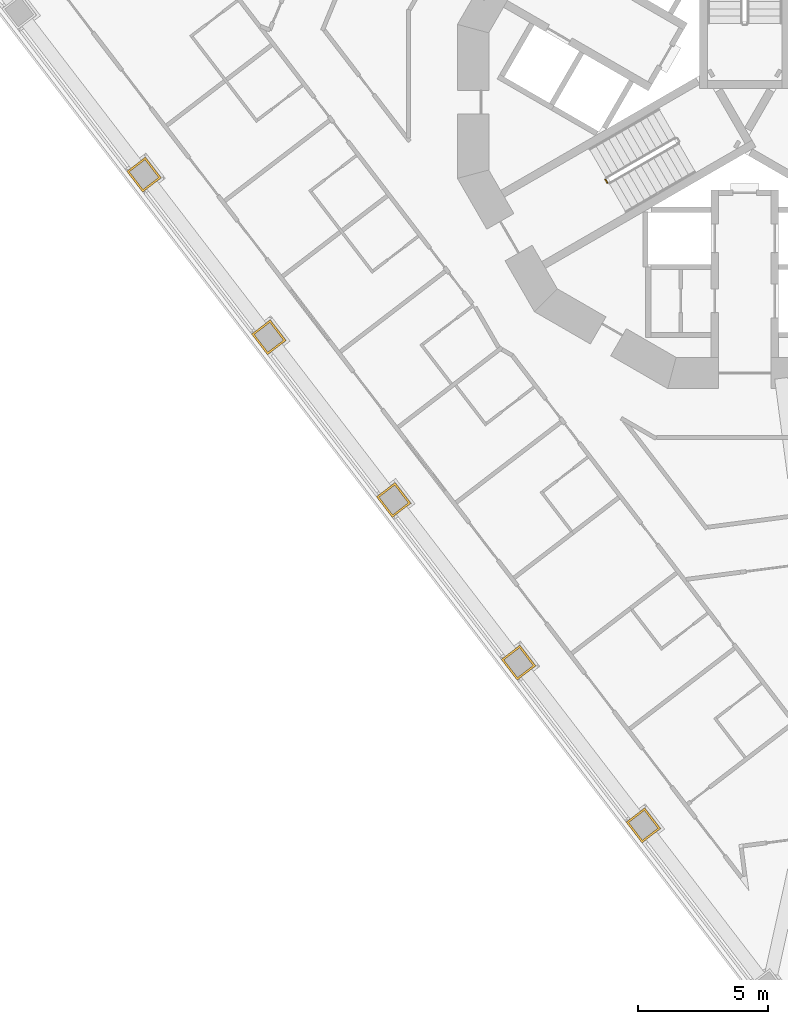
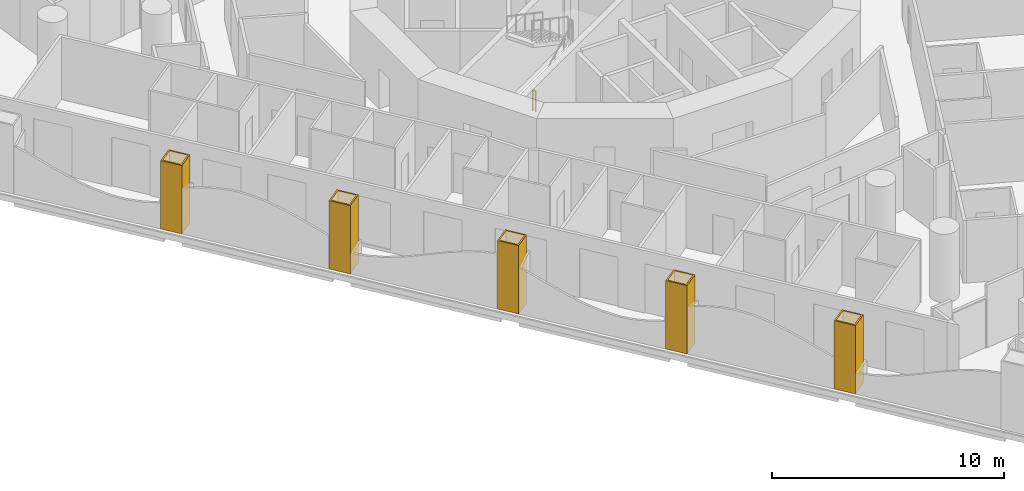
# One storey, part 12 of 19: 5 coverings, 1 railing.
"""IFC4 building model written with IfcOpenShell, lengths in metres."""

from ifc_helpers import new_model, si_unit, direction, frame, origin, origin_2d, place, context, subcontext, project, spatial, polyline, circle, outline, extrude, material, layer, layer_set, type_object, element, save


model = new_model("IFC4")

# Units and contexts
model_context = context("Model", 3, precision=1e-05, world=origin(), true_north=direction((0.0, 1.0)))
body_context = subcontext(model_context, "Body", "Model", "MODEL_VIEW")
ifc_project = project(units=[si_unit("LENGTHUNIT", "METRE"), si_unit("AREAUNIT", "SQUARE_METRE"), si_unit("VOLUMEUNIT", "CUBIC_METRE"), si_unit("PLANEANGLEUNIT", "RADIAN"), si_unit("MASSUNIT", "GRAM", prefix="KILO")], contexts=[model_context])

# Site, building, storey
site_placement = place(None, origin())
site = spatial("IfcSite", under=ifc_project, at=site_placement, CompositionType="ELEMENT")
building_placement = place(site_placement, origin())
building = spatial("IfcBuilding", under=site, at=building_placement, Name="Trine Commons Tower", CompositionType="ELEMENT")
storey_placement = place(building_placement, frame((0.0, 0.0, 57.60009765625)))
storey = spatial("IfcBuildingStorey", under=building, at=storey_placement, Name="L13", CompositionType="ELEMENT", Elevation=57.60009765625)

# Coverings
ifc_material_1 = material(Name="Limestone, honed", Category="masonry")
ifc_layer = layer(ifc_material_1, 0.074951171875)
ifc_layer_set = layer_set([ifc_layer], Name="Limestone, honed")
covering_type = type_object("IfcCoveringType", Name="Limestone column cladding 75", PredefinedType="CLADDING", material=ifc_layer_set)
covering_1_placement = place(storey_placement, origin())
element("IfcCovering", 1, at=covering_1_placement, inside=storey, type_object=covering_type, Name="Limestone pier cladding 2-02", PredefinedType="CLADDING", context=body_context, shape_type="SweptSolid", body=[
    extrude(outline(polyline([(76.1669921875, 35.419189453125), (75.452880859375, 34.87109375), (76.061767578125, 34.077880859375), (76.775634765625, 34.625732421875), (76.1669921875, 35.419189453125)]), holes=[polyline([(76.153076171875, 35.31396484375), (75.55810546875, 34.857421875), (76.075439453125, 34.18310546875), (76.67041015625, 34.6396484375), (76.153076171875, 35.31396484375)])]), origin(), (0.0, 0.0, 1.0), 3.599853515625),
])
covering_2_placement = place(storey_placement, origin())
element("IfcCovering", 2, at=covering_2_placement, inside=storey, type_object=covering_type, Name="Limestone pier cladding 2-03", PredefinedType="CLADDING", context=body_context, shape_type="SweptSolid", body=[
    extrude(outline(polyline([(71.381591796875, 41.6552734375), (70.667724609375, 41.107421875), (71.276611328125, 40.314208984375), (71.990478515625, 40.862060546875), (71.381591796875, 41.6552734375)]), holes=[polyline([(71.367919921875, 41.55029296875), (70.77294921875, 41.093505859375), (71.290283203125, 40.419189453125), (71.88525390625, 40.875732421875), (71.367919921875, 41.55029296875)])]), origin(), (0.0, 0.0, 1.0), 3.599853515625),
])
covering_3_placement = place(storey_placement, origin())
element("IfcCovering", 3, at=covering_3_placement, inside=storey, type_object=covering_type, Name="Limestone pier cladding 2-04", PredefinedType="CLADDING", context=body_context, shape_type="SweptSolid", body=[
    extrude(outline(polyline([(66.5966796875, 47.891357421875), (65.882568359375, 47.343505859375), (66.491455078125, 46.55029296875), (67.205322265625, 47.09814453125), (66.5966796875, 47.891357421875)]), holes=[polyline([(66.582763671875, 47.786376953125), (65.98779296875, 47.32958984375), (66.505126953125, 46.6552734375), (67.10009765625, 47.11181640625), (66.582763671875, 47.786376953125)])]), origin(), (0.0, 0.0, 1.0), 3.599853515625),
])
covering_4_placement = place(storey_placement, origin())
element("IfcCovering", 4, at=covering_4_placement, inside=storey, type_object=covering_type, Name="Limestone pier cladding 2-05", PredefinedType="CLADDING", context=body_context, shape_type="SweptSolid", body=[
    extrude(outline(polyline([(61.811279296875, 54.127685546875), (61.097412109375, 53.57958984375), (61.706298828125, 52.786376953125), (62.420166015625, 53.334228515625), (61.811279296875, 54.127685546875)]), holes=[polyline([(61.797607421875, 54.0224609375), (61.20263671875, 53.56591796875), (61.719970703125, 52.8916015625), (62.31494140625, 53.34814453125), (61.797607421875, 54.0224609375)])]), origin(), (0.0, 0.0, 1.0), 3.599853515625),
])
covering_5_placement = place(storey_placement, origin())
element("IfcCovering", 5, at=covering_5_placement, inside=storey, type_object=covering_type, Name="Limestone pier cladding 2-06", PredefinedType="CLADDING", context=body_context, shape_type="SweptSolid", body=[
    extrude(outline(polyline([(57.026123046875, 60.36376953125), (56.312255859375, 59.81591796875), (56.9208984375, 59.022705078125), (57.635009765625, 59.570556640625), (57.026123046875, 60.36376953125)]), holes=[polyline([(57.012451171875, 60.2587890625), (56.41748046875, 59.802001953125), (56.934814453125, 59.127685546875), (57.52978515625, 59.584228515625), (57.012451171875, 60.2587890625)])]), origin(), (0.0, 0.0, 1.0), 3.599853515625),
])

# Railing
ifc_material_2 = material(Name="Stainless steel balustrade", Category="steel")
railing_type = type_object("IfcRailingType", Name="Stair guard, steel balustrade 1100", PredefinedType="GUARDRAIL", material=ifc_material_2)
railing_placement = place(storey_placement, frame((74.73681640625, 59.374755859375, 0.0)))
element("IfcRailing", 6, at=railing_placement, inside=storey, type_object=railing_type, Name="L13 ST2A stair guard 4", PredefinedType="GUARDRAIL", context=body_context, shape_type="SweptSolid", body=[
    extrude(circle(Radius=0.02392578125, at=origin_2d()), frame((0.0, 0.0, 1.076171875), z_axis=(-0.499816412211, 0.866131372301, 0.0), x_axis=(-0.866131372301, -0.499816412211, 0.0)), (0.0, 0.0, 1.0), 0.14990234375),
    extrude(circle(Radius=0.02099609375, at=origin_2d()), origin(), (0.0, 0.0, 1.0), 1.052001953125),
    extrude(circle(Radius=0.02099609375, at=origin_2d()), frame((-0.074951171875, 0.1298828125, 0.0)), (0.0, 0.0, 1.0), 1.052001953125),
])

save(model, "model.ifc")
